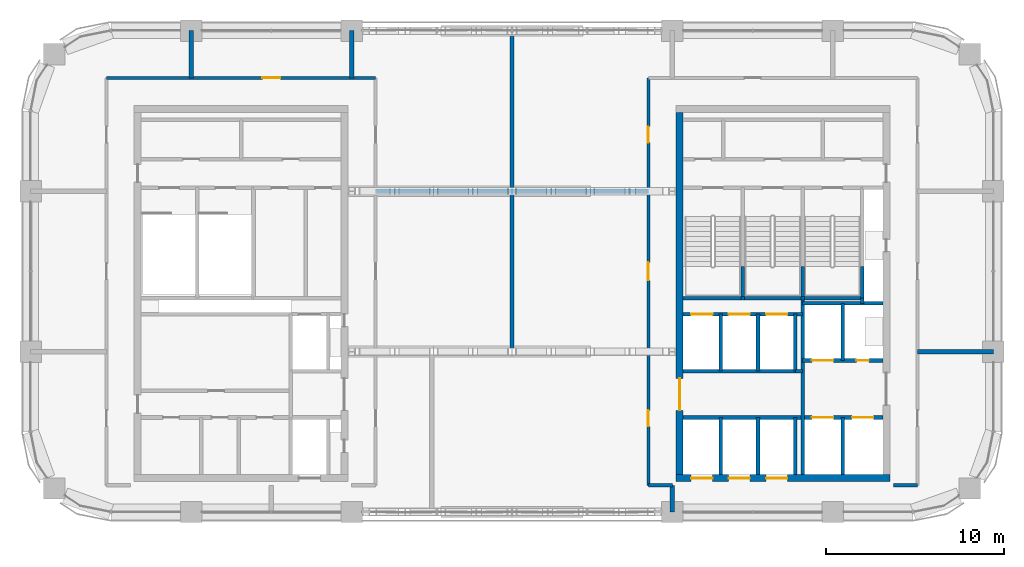
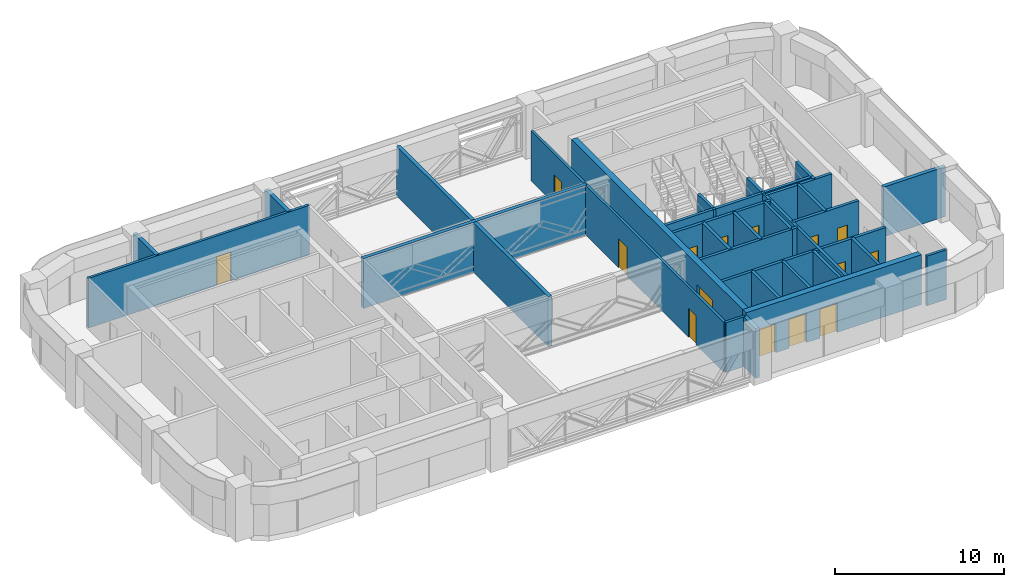
# One storey, part 10 of 12: 36 walls, 15 doors, 15 openings.
"""IFC4 building model written with IfcOpenShell, lengths in metres."""

from ifc_helpers import new_model, si_unit, direction, frame, frame_2d, origin, place, context, subcontext, project, spatial, rectangle, extrude, material, layer, layer_set, type_object, element, fill, save


model = new_model("IFC4")

# Units and contexts
model_context = context("Model", 3, precision=1e-05, world=origin(), true_north=direction((0.0, 1.0)))
body_context = subcontext(model_context, "Body", "Model", "MODEL_VIEW")
ifc_project = project(units=[si_unit("LENGTHUNIT", "METRE"), si_unit("AREAUNIT", "SQUARE_METRE"), si_unit("VOLUMEUNIT", "CUBIC_METRE"), si_unit("PLANEANGLEUNIT", "RADIAN"), si_unit("MASSUNIT", "GRAM", prefix="KILO")], contexts=[model_context])

# Site, building, storey
site_placement = place(None, origin())
site = spatial("IfcSite", under=ifc_project, at=site_placement, CompositionType="ELEMENT")
building_placement = place(site_placement, origin())
building = spatial("IfcBuilding", under=site, at=building_placement, Name="Tessera Arch", CompositionType="ELEMENT")
storey_placement = place(building_placement, frame((0.0, 0.0, 230.60009765625)))
storey = spatial("IfcBuildingStorey", under=building, at=storey_placement, Name="L55", CompositionType="ELEMENT", Elevation=230.60009765625)

# Wall
ifc_material_1 = material(Name="Gypsum board on steel stud", Category="steel")
ifc_layer_1 = layer(ifc_material_1, 0.125)
ifc_layer_set_1 = layer_set([ifc_layer_1], Name="Core partition 125 EI 60")
wall_type_1 = type_object("IfcWallType", Name="Core partition 125 EI 60", PredefinedType="PARTITIONING", material=ifc_layer_set_1)
wall_1_placement = place(storey_placement, frame((42.89990234375, 34.89990234375, 0.0), z_axis=(0.0, 0.0, 1.0), x_axis=(1.0, 0.0, 0.0)))
element("IfcWall", 1, at=wall_1_placement, inside=storey, type_object=wall_type_1, Name="L55 C1 partition wall 20", PredefinedType="PARTITIONING", context=body_context, shape_type="SweptSolid", body=[
    extrude(rectangle(XDim=0.400146484375, YDim=0.199951171875, at=frame_2d((0.2001953125, 0.0))), origin(), (0.0, 0.0, 1.0), 3.599853515625),
])

# Wall, openings, doors
ifc_material_2 = material(Name="Concrete C50/60", Category="concrete")
ifc_layer_2 = layer(ifc_material_2, 0.39990234375)
ifc_layer_set_2 = layer_set([ifc_layer_2], Name="Core shell wall 400 C50-60")
wall_type_2 = type_object("IfcWallType", Name="Core shell wall 400 C50-60", PredefinedType="SHEAR", material=ifc_layer_set_2)
wall_2_placement = place(storey_placement, frame((36.199951171875, 28.89990234375, 0.0), z_axis=(0.0, 0.0, 1.0), x_axis=(1.0, 0.0, 0.0)))
wall_2 = element("IfcWall", 2, at=wall_2_placement, inside=storey, type_object=wall_type_2, Name="L55 C1 core wall S", PredefinedType="SHEAR", context=body_context, shape_type="SweptSolid", body=[
    extrude(rectangle(XDim=12.0, YDim=0.39990234375, at=frame_2d((6.0, 0.0))), origin(), (0.0, 0.0, 1.0), 3.599853515625),
])
opening_1_placement = place(wall_2_placement, frame((0.85009765625, 0.0, 0.0)))
opening_1 = element("IfcOpeningElement", 3, at=opening_1_placement, cuts=wall_2, Name="Opening L55-C01", PredefinedType="OPENING", context=body_context, shape_type="SweptSolid", body=[
    extrude(rectangle(XDim=1.199951171875, YDim=2.10009765625, at=frame_2d((0.60009765625, 1.050048828125))), frame((0.0, 0.2099609375, 0.0), z_axis=(0.0, -1.0, 0.0), x_axis=(1.0, 0.0, 0.0)), (0.0, 0.0, 1.0), 0.419921875),
])
opening_2_placement = place(wall_2_placement, frame((2.949951171875, 0.0, 0.0)))
opening_2 = element("IfcOpeningElement", 4, at=opening_2_placement, cuts=wall_2, Name="Opening L55-C03", PredefinedType="OPENING", context=body_context, shape_type="SweptSolid", body=[
    extrude(rectangle(XDim=1.199951171875, YDim=2.10009765625, at=frame_2d((0.60009765625, 1.050048828125))), frame((0.0, 0.2099609375, 0.0), z_axis=(0.0, -1.0, 0.0), x_axis=(1.0, 0.0, 0.0)), (0.0, 0.0, 1.0), 0.419921875),
])
opening_3_placement = place(wall_2_placement, frame((5.050048828125, 0.0, 0.0)))
opening_3 = element("IfcOpeningElement", 5, at=opening_3_placement, cuts=wall_2, Name="Opening L55-C05", PredefinedType="OPENING", context=body_context, shape_type="SweptSolid", body=[
    extrude(rectangle(XDim=1.199951171875, YDim=2.10009765625, at=frame_2d((0.60009765625, 1.050048828125))), frame((0.0, 0.2099609375, 0.0), z_axis=(0.0, -1.0, 0.0), x_axis=(1.0, 0.0, 0.0)), (0.0, 0.0, 1.0), 0.419921875),
])
ifc_material_3 = material(Name="Stainless steel AISI 304", Category="steel")
door_type_1 = type_object("IfcDoorType", Name="Sliding landing door 1200 x 2100", OperationType="SLIDING_TO_LEFT", PredefinedType="DOOR", material=ifc_material_3)
door_1_placement = place(opening_1_placement, origin())
door_1 = element("IfcDoor", 6, at=door_1_placement, inside=storey, type_object=door_type_1, Name="L55 HR1 lift landing door C01 type LD", OperationType="SLIDING_TO_LEFT", OverallHeight=2.10009765625, OverallWidth=1.199951171875, PredefinedType="DOOR", context=body_context, shape_type="SweptSolid", body=[
    extrude(rectangle(XDim=1.199951171875, YDim=2.10009765625, at=frame_2d((0.60009765625, 1.050048828125))), frame((0.0, 0.02490234375, 0.0), z_axis=(0.0, -1.0, 0.0), x_axis=(1.0, 0.0, 0.0)), (0.0, 0.0, 1.0), 0.050048828125),
])
fill(opening_1, door_1)
door_2_placement = place(opening_2_placement, origin())
door_2 = element("IfcDoor", 7, at=door_2_placement, inside=storey, type_object=door_type_1, Name="L55 HR2 lift landing door C03 type LD", OperationType="SLIDING_TO_LEFT", OverallHeight=2.10009765625, OverallWidth=1.199951171875, PredefinedType="DOOR", context=body_context, shape_type="SweptSolid", body=[
    extrude(rectangle(XDim=1.199951171875, YDim=2.10009765625, at=frame_2d((0.60009765625, 1.050048828125))), frame((0.0, 0.02490234375, 0.0), z_axis=(0.0, -1.0, 0.0), x_axis=(1.0, 0.0, 0.0)), (0.0, 0.0, 1.0), 0.050048828125),
])
fill(opening_2, door_2)
door_3_placement = place(opening_3_placement, origin())
door_3 = element("IfcDoor", 8, at=door_3_placement, inside=storey, type_object=door_type_1, Name="L55 HR3 lift landing door C05 type LD", OperationType="SLIDING_TO_LEFT", OverallHeight=2.10009765625, OverallWidth=1.199951171875, PredefinedType="DOOR", context=body_context, shape_type="SweptSolid", body=[
    extrude(rectangle(XDim=1.199951171875, YDim=2.10009765625, at=frame_2d((0.60009765625, 1.050048828125))), frame((0.0, 0.02490234375, 0.0), z_axis=(0.0, -1.0, 0.0), x_axis=(1.0, 0.0, 0.0)), (0.0, 0.0, 1.0), 0.050048828125),
])
fill(opening_3, door_3)

# Wall, opening, door
wall_3_placement = place(storey_placement, frame((36.39990234375, 29.10009765625, 0.0), z_axis=(0.0, 0.0, 1.0), x_axis=(0.0, 1.0, 0.0)))
wall_3 = element("IfcWall", 9, at=wall_3_placement, inside=storey, type_object=wall_type_2, Name="L55 C1 core wall W", PredefinedType="SHEAR", context=body_context, shape_type="SweptSolid", body=[
    extrude(rectangle(XDim=20.2998046875, YDim=0.39990234375, at=frame_2d((10.14990234375, 0.0))), origin(), (0.0, 0.0, 1.0), 3.599853515625),
])
opening_4_placement = place(wall_3_placement, frame((3.60009765625, 0.0, 0.0)))
opening_4 = element("IfcOpeningElement", 10, at=opening_4_placement, cuts=wall_3, Name="Opening L55-C10", PredefinedType="OPENING", context=body_context, shape_type="SweptSolid", body=[
    extrude(rectangle(XDim=1.800048828125, YDim=2.10009765625, at=frame_2d((0.89990234375, 1.050048828125))), frame((0.0, 0.2099609375, 0.0), z_axis=(0.0, -1.0, 0.0), x_axis=(1.0, 0.0, 0.0)), (0.0, 0.0, 1.0), 0.419921875),
])
ifc_material_4 = material(Name="Glazed steel door leaf", Category="steel")
door_type_2 = type_object("IfcDoorType", Name="Lobby double door FD30S 1800 x 2100", OperationType="DOUBLE_DOOR_SINGLE_SWING", PredefinedType="DOOR", material=ifc_material_4)
door_4_placement = place(opening_4_placement, origin())
door_4 = element("IfcDoor", 11, at=door_4_placement, inside=storey, type_object=door_type_2, Name="L55 C1 door 10 C10 type D06", OperationType="DOUBLE_DOOR_SINGLE_SWING", OverallHeight=2.10009765625, OverallWidth=1.800048828125, PredefinedType="DOOR", context=body_context, shape_type="SweptSolid", body=[
    extrude(rectangle(XDim=1.800048828125, YDim=2.10009765625, at=frame_2d((0.89990234375, 1.050048828125))), frame((0.0, 0.02490234375, 0.0), z_axis=(0.0, -1.0, 0.0), x_axis=(1.0, 0.0, 0.0)), (0.0, 0.0, 1.0), 0.050048828125),
])
fill(opening_4, door_4)

# Walls
ifc_material_5 = material(Name="Gypsum board on deep steel stud with mineral wool", Category="steel")
ifc_layer_3 = layer(ifc_material_5, 0.175048828125)
ifc_layer_set_3 = layer_set([ifc_layer_3], Name="Corridor wall 175 EI 60")
wall_type_3 = type_object("IfcWallType", Name="Corridor wall 175 EI 60", PredefinedType="PARTITIONING", material=ifc_layer_set_3)
for number, where, z_axis, x_axis, name in (
    (12, (34.64990234375, 28.5, 0.0), (0.0, 0.0, 1.0), (1.0, 0.0, 0.0), "L55 partition 3"),
    (13, (48.39990234375, 28.5, 0.0), (0.0, 0.0, 1.0), (1.0, 0.0, 0.0), "L55 partition 4"),
):
    element("IfcWall", number, at=place(storey_placement, frame(where, z_axis=z_axis, x_axis=x_axis)), inside=storey, type_object=wall_type_3, Name=name, PredefinedType="PARTITIONING", context=body_context, shape_type="SweptSolid", body=[
        extrude(rectangle(XDim=1.35009765625, YDim=0.175048828125, at=frame_2d((0.675048828125, 0.0))), origin(), (0.0, 0.0, 1.0), 3.599853515625),
    ])

# Wall, opening, door
wall_4_placement = place(storey_placement, frame((4.25, 51.35009765625, 0.0), z_axis=(0.0, 0.0, 1.0), x_axis=(1.0, 0.0, 0.0)))
wall_4 = element("IfcWall", 14, at=wall_4_placement, inside=storey, type_object=wall_type_3, Name="L55 partition 5", PredefinedType="PARTITIONING", context=body_context, shape_type="SweptSolid", body=[
    extrude(rectangle(XDim=15.10009765625, YDim=0.175048828125, at=frame_2d((7.550048828125, 0.0))), origin(), (0.0, 0.0, 1.0), 3.599853515625),
])
opening_5_placement = place(wall_4_placement, frame((8.75, 0.0, 0.0)))
opening_5 = element("IfcOpeningElement", 15, at=opening_5_placement, cuts=wall_4, Name="Opening L55-D013", PredefinedType="OPENING", context=body_context, shape_type="SweptSolid", body=[
    extrude(rectangle(XDim=1.0, YDim=2.10009765625, at=frame_2d((0.5, 1.050048828125))), frame((0.0, 0.097412109375, 0.0), z_axis=(0.0, -1.0, 0.0), x_axis=(1.0, 0.0, 0.0)), (0.0, 0.0, 1.0), 0.195068359375),
])
ifc_material_6 = material(Name="Fire-rated door leaf")
door_type_3 = type_object("IfcDoorType", Name="Entrance door FD30S 1000 x 2100", OperationType="SINGLE_SWING_LEFT", PredefinedType="DOOR", material=ifc_material_6)
door_5_placement = place(opening_5_placement, origin())
door_5 = element("IfcDoor", 16, at=door_5_placement, inside=storey, type_object=door_type_3, Name="L55 door D013 type D03", OperationType="SINGLE_SWING_LEFT", OverallHeight=2.10009765625, OverallWidth=1.0, PredefinedType="DOOR", context=body_context, shape_type="SweptSolid", body=[
    extrude(rectangle(XDim=1.0, YDim=2.10009765625, at=frame_2d((0.5, 1.050048828125))), frame((0.0, 0.02490234375, 0.0), z_axis=(0.0, -1.0, 0.0), x_axis=(1.0, 0.0, 0.0)), (0.0, 0.0, 1.0), 0.050048828125),
])
fill(opening_5, door_5)

# Wall, openings, doors
wall_5_placement = place(storey_placement, frame((34.64990234375, 28.5, 0.0), z_axis=(0.0, 0.0, 1.0), x_axis=(0.0, 1.0, 0.0)))
wall_5 = element("IfcWall", 17, at=wall_5_placement, inside=storey, type_object=wall_type_3, Name="L55 partition 9", PredefinedType="PARTITIONING", context=body_context, shape_type="SweptSolid", body=[
    extrude(rectangle(XDim=22.85009765625, YDim=0.175048828125, at=frame_2d((11.425048828125, 0.0))), origin(), (0.0, 0.0, 1.0), 3.599853515625),
])
opening_6_placement = place(wall_5_placement, frame((3.300048828125, 0.0, 0.0)))
opening_6 = element("IfcOpeningElement", 18, at=opening_6_placement, cuts=wall_5, Name="Opening L55-D004", PredefinedType="OPENING", context=body_context, shape_type="SweptSolid", body=[
    extrude(rectangle(XDim=0.89990234375, YDim=2.10009765625, at=frame_2d((0.449951171875, 1.050048828125))), frame((0.0, 0.097412109375, 0.0), z_axis=(0.0, -1.0, 0.0), x_axis=(1.0, 0.0, 0.0)), (0.0, 0.0, 1.0), 0.195068359375),
])
opening_7_placement = place(wall_5_placement, frame((11.5, 0.0, 0.0)))
opening_7 = element("IfcOpeningElement", 19, at=opening_7_placement, cuts=wall_5, Name="Opening L55-D007", PredefinedType="OPENING", context=body_context, shape_type="SweptSolid", body=[
    extrude(rectangle(XDim=1.0, YDim=2.10009765625, at=frame_2d((0.5, 1.050048828125))), frame((0.0, 0.097412109375, 0.0), z_axis=(0.0, -1.0, 0.0), x_axis=(1.0, 0.0, 0.0)), (0.0, 0.0, 1.0), 0.195068359375),
])
opening_8_placement = place(wall_5_placement, frame((19.22509765625, 0.0, 0.0)))
opening_8 = element("IfcOpeningElement", 20, at=opening_8_placement, cuts=wall_5, Name="Opening L55-D010", PredefinedType="OPENING", context=body_context, shape_type="SweptSolid", body=[
    extrude(rectangle(XDim=0.89990234375, YDim=2.10009765625, at=frame_2d((0.449951171875, 1.050048828125))), frame((0.0, 0.097412109375, 0.0), z_axis=(0.0, -1.0, 0.0), x_axis=(1.0, 0.0, 0.0)), (0.0, 0.0, 1.0), 0.195068359375),
])
door_6_placement = place(opening_7_placement, origin())
door_6 = element("IfcDoor", 21, at=door_6_placement, inside=storey, type_object=door_type_3, Name="L55 door D007 type D03", OperationType="SINGLE_SWING_LEFT", OverallHeight=2.10009765625, OverallWidth=1.0, PredefinedType="DOOR", context=body_context, shape_type="SweptSolid", body=[
    extrude(rectangle(XDim=1.0, YDim=2.10009765625, at=frame_2d((0.5, 1.050048828125))), frame((0.0, 0.02490234375, 0.0), z_axis=(0.0, -1.0, 0.0), x_axis=(1.0, 0.0, 0.0)), (0.0, 0.0, 1.0), 0.050048828125),
])
fill(opening_7, door_6)
ifc_material_7 = material(Name="Timber door leaf", Category="wood")
door_type_4 = type_object("IfcDoorType", Name="Room door 900 x 2100", OperationType="SINGLE_SWING_LEFT", PredefinedType="DOOR", material=ifc_material_7)
door_7_placement = place(opening_6_placement, origin())
door_7 = element("IfcDoor", 22, at=door_7_placement, inside=storey, type_object=door_type_4, Name="L55 door D004 type D01", OperationType="SINGLE_SWING_RIGHT", OverallHeight=2.10009765625, OverallWidth=0.89990234375, PredefinedType="DOOR", context=body_context, shape_type="SweptSolid", body=[
    extrude(rectangle(XDim=0.89990234375, YDim=2.10009765625, at=frame_2d((0.449951171875, 1.050048828125))), frame((0.0, 0.02490234375, 0.0), z_axis=(0.0, -1.0, 0.0), x_axis=(1.0, 0.0, 0.0)), (0.0, 0.0, 1.0), 0.050048828125),
])
fill(opening_6, door_7)
door_8_placement = place(opening_8_placement, origin())
door_8 = element("IfcDoor", 23, at=door_8_placement, inside=storey, type_object=door_type_4, Name="L55 door D010 type D01", OperationType="SINGLE_SWING_RIGHT", OverallHeight=2.10009765625, OverallWidth=0.89990234375, PredefinedType="DOOR", context=body_context, shape_type="SweptSolid", body=[
    extrude(rectangle(XDim=0.89990234375, YDim=2.10009765625, at=frame_2d((0.449951171875, 1.050048828125))), frame((0.0, 0.02490234375, 0.0), z_axis=(0.0, -1.0, 0.0), x_axis=(1.0, 0.0, 0.0)), (0.0, 0.0, 1.0), 0.050048828125),
])
fill(opening_8, door_8)

# Walls
ifc_material_8 = material(Name="Double gypsum board on twin steel stud with acoustic mineral wool", Category="steel")
ifc_layer_4 = layer(ifc_material_8, 0.25)
ifc_layer_set_4 = layer_set([ifc_layer_4], Name="Party wall 250 EI 60")
wall_type_4 = type_object("IfcWallType", Name="Party wall 250 EI 60", PredefinedType="PARTITIONING", material=ifc_layer_set_4)
wall_6_placement = place(storey_placement, frame((49.75, 36.0, 0.0), z_axis=(0.0, 0.0, 1.0), x_axis=(1.0, 0.0, 0.0)))
element("IfcWall", 24, at=wall_6_placement, inside=storey, type_object=wall_type_4, Name="L55 partition 13", PredefinedType="PARTITIONING", context=body_context, shape_type="SweptSolid", body=[
    extrude(rectangle(XDim=4.25, YDim=0.25, at=frame_2d((2.125, 0.0))), origin(), (0.0, 0.0, 1.0), 3.599853515625),
])
wall_7_placement = place(storey_placement, frame((19.35009765625, 45.0, 0.0), z_axis=(0.0, 0.0, 1.0), x_axis=(1.0, 0.0, 0.0)))
element("IfcWall", 25, at=wall_7_placement, inside=storey, type_object=wall_type_4, Name="L55 partition 15", PredefinedType="PARTITIONING", context=body_context, shape_type="SweptSolid", body=[
    extrude(rectangle(XDim=15.2998046875, YDim=0.25, at=frame_2d((7.64990234375, 0.0))), origin(), (0.0, 0.0, 1.0), 3.599853515625),
])
for number, where, z_axis, x_axis, name in (
    (26, (9.0, 51.35009765625, 0.0), (0.0, 0.0, 1.0), (0.0, 1.0, 0.0), "L55 partition 17"),
    (27, (18.0, 51.35009765625, 0.0), (0.0, 0.0, 1.0), (0.0, 1.0, 0.0), "L55 partition 19"),
):
    element("IfcWall", number, at=place(storey_placement, frame(where, z_axis=z_axis, x_axis=x_axis)), inside=storey, type_object=wall_type_4, Name=name, PredefinedType="PARTITIONING", context=body_context, shape_type="SweptSolid", body=[
        extrude(rectangle(XDim=2.64990234375, YDim=0.25, at=frame_2d((1.324951171875, 0.0))), origin(), (0.0, 0.0, 1.0), 3.599853515625),
    ])
wall_8_placement = place(storey_placement, frame((27.0, 36.0, 0.0), z_axis=(0.0, 0.0, 1.0), x_axis=(0.0, 1.0, 0.0)))
element("IfcWall", 28, at=wall_8_placement, inside=storey, type_object=wall_type_4, Name="L55 partition 21", PredefinedType="PARTITIONING", context=body_context, shape_type="SweptSolid", body=[
    extrude(rectangle(XDim=18.0, YDim=0.25, at=frame_2d((9.0, 0.0))), origin(), (0.0, 0.0, 1.0), 3.599853515625),
])
wall_9_placement = place(storey_placement, frame((36.0, 27.0, 0.0), z_axis=(0.0, 0.0, 1.0), x_axis=(0.0, 1.0, 0.0)))
element("IfcWall", 29, at=wall_9_placement, inside=storey, type_object=wall_type_4, Name="L55 partition 22", PredefinedType="PARTITIONING", context=body_context, shape_type="SweptSolid", body=[
    extrude(rectangle(XDim=1.5, YDim=0.25, at=frame_2d((0.75, 0.0))), origin(), (0.0, 0.0, 1.0), 3.599853515625),
])
ifc_material_9 = material(Name="Concrete C40/50", Category="concrete")
ifc_layer_5 = layer(ifc_material_9, 0.199951171875)
ifc_layer_set_5 = layer_set([ifc_layer_5], Name="Shaft wall 200 EI 120")
wall_type_5 = type_object("IfcWallType", Name="Shaft wall 200 EI 120", PredefinedType="SOLIDWALL", material=ifc_layer_set_5)
wall_10_placement = place(storey_placement, frame((38.699951171875, 29.10009765625, 0.0), z_axis=(0.0, 0.0, 1.0), x_axis=(0.0, 1.0, 0.0)))
element("IfcWall", 30, at=wall_10_placement, inside=storey, type_object=wall_type_5, Name="L55 C1 shaft wall 1", PredefinedType="SOLIDWALL", context=body_context, shape_type="SweptSolid", body=[
    extrude(rectangle(XDim=3.199951171875, YDim=0.199951171875, at=frame_2d((1.60009765625, 0.0))), origin(), (0.0, 0.0, 1.0), 3.599853515625),
])
wall_11_placement = place(storey_placement, frame((38.699951171875, 34.89990234375, 0.0), z_axis=(0.0, 0.0, 1.0), x_axis=(0.0, 1.0, 0.0)))
element("IfcWall", 31, at=wall_11_placement, inside=storey, type_object=wall_type_5, Name="L55 C1 shaft wall 2", PredefinedType="SOLIDWALL", context=body_context, shape_type="SweptSolid", body=[
    extrude(rectangle(XDim=3.2001953125, YDim=0.199951171875, at=frame_2d((1.60009765625, 0.0))), origin(), (0.0, 0.0, 1.0), 3.599853515625),
])
wall_12_placement = place(storey_placement, frame((40.800048828125, 29.10009765625, 0.0), z_axis=(0.0, 0.0, 1.0), x_axis=(0.0, 1.0, 0.0)))
element("IfcWall", 32, at=wall_12_placement, inside=storey, type_object=wall_type_5, Name="L55 C1 shaft wall 6", PredefinedType="SOLIDWALL", context=body_context, shape_type="SweptSolid", body=[
    extrude(rectangle(XDim=3.199951171875, YDim=0.199951171875, at=frame_2d((1.60009765625, 0.0))), origin(), (0.0, 0.0, 1.0), 3.599853515625),
])
wall_13_placement = place(storey_placement, frame((40.800048828125, 34.89990234375, 0.0), z_axis=(0.0, 0.0, 1.0), x_axis=(0.0, 1.0, 0.0)))
element("IfcWall", 33, at=wall_13_placement, inside=storey, type_object=wall_type_5, Name="L55 C1 shaft wall 7", PredefinedType="SOLIDWALL", context=body_context, shape_type="SweptSolid", body=[
    extrude(rectangle(XDim=3.2001953125, YDim=0.199951171875, at=frame_2d((1.60009765625, 0.0))), origin(), (0.0, 0.0, 1.0), 3.599853515625),
])
wall_14_placement = place(storey_placement, frame((42.89990234375, 29.10009765625, 0.0), z_axis=(0.0, 0.0, 1.0), x_axis=(0.0, 1.0, 0.0)))
element("IfcWall", 34, at=wall_14_placement, inside=storey, type_object=wall_type_5, Name="L55 C1 shaft wall 8", PredefinedType="SOLIDWALL", context=body_context, shape_type="SweptSolid", body=[
    extrude(rectangle(XDim=3.199951171875, YDim=0.199951171875, at=frame_2d((1.60009765625, 0.0))), origin(), (0.0, 0.0, 1.0), 3.599853515625),
])
wall_15_placement = place(storey_placement, frame((42.89990234375, 34.89990234375, 0.0), z_axis=(0.0, 0.0, 1.0), x_axis=(0.0, 1.0, 0.0)))
element("IfcWall", 35, at=wall_15_placement, inside=storey, type_object=wall_type_5, Name="L55 C1 shaft wall 9", PredefinedType="SOLIDWALL", context=body_context, shape_type="SweptSolid", body=[
    extrude(rectangle(XDim=3.2001953125, YDim=0.199951171875, at=frame_2d((1.60009765625, 0.0))), origin(), (0.0, 0.0, 1.0), 3.599853515625),
])
wall_16_placement = place(storey_placement, frame((43.300048828125, 29.10009765625, 0.0), z_axis=(0.0, 0.0, 1.0), x_axis=(0.0, 1.0, 0.0)))
element("IfcWall", 36, at=wall_16_placement, inside=storey, type_object=wall_type_5, Name="L55 C1 shaft wall 10", PredefinedType="SOLIDWALL", context=body_context, shape_type="SweptSolid", body=[
    extrude(rectangle(XDim=9.89990234375, YDim=0.199951171875, at=frame_2d((4.949951171875, 0.0))), origin(), (0.0, 0.0, 1.0), 3.599853515625),
])
for number, where, z_axis, x_axis, name in (
    (37, (45.550048828125, 29.10009765625, 0.0), (0.0, 0.0, 1.0), (0.0, 1.0, 0.0), "L55 C1 shaft wall 14"),
    (38, (45.550048828125, 35.5, 0.0), (0.0, 0.0, 1.0), (0.0, 1.0, 0.0), "L55 C1 shaft wall 15"),
):
    element("IfcWall", number, at=place(storey_placement, frame(where, z_axis=z_axis, x_axis=x_axis)), inside=storey, type_object=wall_type_5, Name=name, PredefinedType="SOLIDWALL", context=body_context, shape_type="SweptSolid", body=[
        extrude(rectangle(XDim=3.199951171875, YDim=0.199951171875, at=frame_2d((1.60009765625, 0.0))), origin(), (0.0, 0.0, 1.0), 3.599853515625),
    ])
wall_17_placement = place(storey_placement, frame((46.64990234375, 38.699951171875, 0.0), z_axis=(0.0, 0.0, 1.0), x_axis=(0.0, 1.0, 0.0)))
element("IfcWall", 39, at=wall_17_placement, inside=storey, type_object=wall_type_5, Name="L55 C1 shaft wall 16", PredefinedType="SOLIDWALL", context=body_context, shape_type="SweptSolid", body=[
    extrude(rectangle(XDim=0.300048828125, YDim=0.199951171875, at=frame_2d((0.14990234375, 0.0))), origin(), (0.0, 0.0, 1.0), 3.599853515625),
])

# Wall, openings, doors
wall_18_placement = place(storey_placement, frame((36.60009765625, 32.300048828125, 0.0), z_axis=(0.0, 0.0, 1.0), x_axis=(1.0, 0.0, 0.0)))
wall_18 = element("IfcWall", 40, at=wall_18_placement, inside=storey, type_object=wall_type_5, Name="L55 C1 shaft wall 19", PredefinedType="SOLIDWALL", context=body_context, shape_type="SweptSolid", body=[
    extrude(rectangle(XDim=11.199951171875, YDim=0.199951171875, at=frame_2d((5.60009765625, 0.0))), origin(), (0.0, 0.0, 1.0), 3.599853515625),
])
opening_9_placement = place(wall_18_placement, frame((7.22509765625, 0.0, 0.0)))
opening_9 = element("IfcOpeningElement", 41, at=opening_9_placement, cuts=wall_18, Name="Opening L55-C07", PredefinedType="OPENING", context=body_context, shape_type="SweptSolid", body=[
    extrude(rectangle(XDim=1.199951171875, YDim=2.10009765625, at=frame_2d((0.60009765625, 1.050048828125))), frame((0.0, 0.10986328125, 0.0), z_axis=(0.0, -1.0, 0.0), x_axis=(1.0, 0.0, 0.0)), (0.0, 0.0, 1.0), 0.219970703125),
])
opening_10_placement = place(wall_18_placement, frame((9.47509765625, 0.0, 0.0)))
opening_10 = element("IfcOpeningElement", 42, at=opening_10_placement, cuts=wall_18, Name="Opening L55-C08", PredefinedType="OPENING", context=body_context, shape_type="SweptSolid", body=[
    extrude(rectangle(XDim=1.199951171875, YDim=2.10009765625, at=frame_2d((0.60009765625, 1.050048828125))), frame((0.0, 0.10986328125, 0.0), z_axis=(0.0, -1.0, 0.0), x_axis=(1.0, 0.0, 0.0)), (0.0, 0.0, 1.0), 0.219970703125),
])
door_9_placement = place(opening_9_placement, origin())
door_9 = element("IfcDoor", 43, at=door_9_placement, inside=storey, type_object=door_type_1, Name="L55 FF1 lift landing door C07 type LD", OperationType="SLIDING_TO_LEFT", OverallHeight=2.10009765625, OverallWidth=1.199951171875, PredefinedType="DOOR", context=body_context, shape_type="SweptSolid", body=[
    extrude(rectangle(XDim=1.199951171875, YDim=2.10009765625, at=frame_2d((0.60009765625, 1.050048828125))), frame((0.0, 0.02490234375, 0.0), z_axis=(0.0, -1.0, 0.0), x_axis=(1.0, 0.0, 0.0)), (0.0, 0.0, 1.0), 0.050048828125),
])
fill(opening_9, door_9)
door_10_placement = place(opening_10_placement, origin())
door_10 = element("IfcDoor", 44, at=door_10_placement, inside=storey, type_object=door_type_1, Name="L55 FF2 lift landing door C08 type LD", OperationType="SLIDING_TO_LEFT", OverallHeight=2.10009765625, OverallWidth=1.199951171875, PredefinedType="DOOR", context=body_context, shape_type="SweptSolid", body=[
    extrude(rectangle(XDim=1.199951171875, YDim=2.10009765625, at=frame_2d((0.60009765625, 1.050048828125))), frame((0.0, 0.02490234375, 0.0), z_axis=(0.0, -1.0, 0.0), x_axis=(1.0, 0.0, 0.0)), (0.0, 0.0, 1.0), 0.050048828125),
])
fill(opening_10, door_10)

# Wall
wall_19_placement = place(storey_placement, frame((36.60009765625, 34.89990234375, 0.0), z_axis=(0.0, 0.0, 1.0), x_axis=(1.0, 0.0, 0.0)))
element("IfcWall", 45, at=wall_19_placement, inside=storey, type_object=wall_type_5, Name="L55 C1 shaft wall 21", PredefinedType="SOLIDWALL", context=body_context, shape_type="SweptSolid", body=[
    extrude(rectangle(XDim=6.2998046875, YDim=0.199951171875, at=frame_2d((3.14990234375, 0.0))), origin(), (0.0, 0.0, 1.0), 3.599853515625),
])

# Wall, openings, doors
wall_20_placement = place(storey_placement, frame((43.300048828125, 35.5, 0.0), z_axis=(0.0, 0.0, 1.0), x_axis=(1.0, 0.0, 0.0)))
wall_20 = element("IfcWall", 46, at=wall_20_placement, inside=storey, type_object=wall_type_5, Name="L55 C1 shaft wall 22", PredefinedType="SOLIDWALL", context=body_context, shape_type="SweptSolid", body=[
    extrude(rectangle(XDim=4.5, YDim=0.199951171875, at=frame_2d((2.25, 0.0))), origin(), (0.0, 0.0, 1.0), 3.599853515625),
])
opening_11_placement = place(wall_20_placement, frame((0.52490234375, 0.0, 0.0)))
opening_11 = element("IfcOpeningElement", 47, at=opening_11_placement, cuts=wall_20, Name="Opening L55-C09", PredefinedType="OPENING", context=body_context, shape_type="SweptSolid", body=[
    extrude(rectangle(XDim=1.199951171875, YDim=2.10009765625, at=frame_2d((0.60009765625, 1.050048828125))), frame((0.0, 0.10986328125, 0.0), z_axis=(0.0, -1.0, 0.0), x_axis=(1.0, 0.0, 0.0)), (0.0, 0.0, 1.0), 0.219970703125),
])
opening_12_placement = place(wall_20_placement, frame((3.02490234375, 0.0, 0.0)))
opening_12 = element("IfcOpeningElement", 48, at=opening_12_placement, cuts=wall_20, Name="Opening L55-C16", PredefinedType="OPENING", context=body_context, shape_type="SweptSolid", body=[
    extrude(rectangle(XDim=0.699951171875, YDim=2.10009765625, at=frame_2d((0.35009765625, 1.050048828125))), frame((0.0, 0.10986328125, 0.0), z_axis=(0.0, -1.0, 0.0), x_axis=(1.0, 0.0, 0.0)), (0.0, 0.0, 1.0), 0.219970703125),
])
ifc_material_10 = material(Name="Steel door leaf", Category="steel")
door_type_5 = type_object("IfcDoorType", Name="Service shaft door FD60 700 x 2100", OperationType="SINGLE_SWING_LEFT", PredefinedType="DOOR", material=ifc_material_10)
door_11_placement = place(opening_12_placement, origin())
door_11 = element("IfcDoor", 49, at=door_11_placement, inside=storey, type_object=door_type_5, Name="L55 C1 door 16 C16 type D07", OperationType="SINGLE_SWING_RIGHT", OverallHeight=2.10009765625, OverallWidth=0.699951171875, PredefinedType="DOOR", context=body_context, shape_type="SweptSolid", body=[
    extrude(rectangle(XDim=0.699951171875, YDim=2.10009765625, at=frame_2d((0.35009765625, 1.050048828125))), frame((0.0, 0.02490234375, 0.0), z_axis=(0.0, -1.0, 0.0), x_axis=(1.0, 0.0, 0.0)), (0.0, 0.0, 1.0), 0.050048828125),
])
fill(opening_12, door_11)
door_12_placement = place(opening_11_placement, origin())
door_12 = element("IfcDoor", 50, at=door_12_placement, inside=storey, type_object=door_type_1, Name="L55 SV2 lift landing door C09 type LD", OperationType="SLIDING_TO_LEFT", OverallHeight=2.10009765625, OverallWidth=1.199951171875, PredefinedType="DOOR", context=body_context, shape_type="SweptSolid", body=[
    extrude(rectangle(XDim=1.199951171875, YDim=2.10009765625, at=frame_2d((0.60009765625, 1.050048828125))), frame((0.0, 0.02490234375, 0.0), z_axis=(0.0, -1.0, 0.0), x_axis=(1.0, 0.0, 0.0)), (0.0, 0.0, 1.0), 0.050048828125),
])
fill(opening_11, door_12)

wall_21_placement = place(storey_placement, frame((36.60009765625, 38.10009765625, 0.0), z_axis=(0.0, 0.0, 1.0), x_axis=(1.0, 0.0, 0.0)))
wall_21 = element("IfcWall", 51, at=wall_21_placement, inside=storey, type_object=wall_type_5, Name="L55 C1 shaft wall 23", PredefinedType="SOLIDWALL", context=body_context, shape_type="SweptSolid", body=[
    extrude(rectangle(XDim=6.699951171875, YDim=0.199951171875, at=frame_2d((3.35009765625, 0.0))), origin(), (0.0, 0.0, 1.0), 3.599853515625),
])
opening_13_placement = place(wall_21_placement, frame((0.449951171875, 0.0, 0.0)))
opening_13 = element("IfcOpeningElement", 52, at=opening_13_placement, cuts=wall_21, Name="Opening L55-C02", PredefinedType="OPENING", context=body_context, shape_type="SweptSolid", body=[
    extrude(rectangle(XDim=1.199951171875, YDim=2.10009765625, at=frame_2d((0.60009765625, 1.050048828125))), frame((0.0, 0.10986328125, 0.0), z_axis=(0.0, -1.0, 0.0), x_axis=(1.0, 0.0, 0.0)), (0.0, 0.0, 1.0), 0.219970703125),
])
opening_14_placement = place(wall_21_placement, frame((2.550048828125, 0.0, 0.0)))
opening_14 = element("IfcOpeningElement", 53, at=opening_14_placement, cuts=wall_21, Name="Opening L55-C04", PredefinedType="OPENING", context=body_context, shape_type="SweptSolid", body=[
    extrude(rectangle(XDim=1.199951171875, YDim=2.10009765625, at=frame_2d((0.60009765625, 1.050048828125))), frame((0.0, 0.10986328125, 0.0), z_axis=(0.0, -1.0, 0.0), x_axis=(1.0, 0.0, 0.0)), (0.0, 0.0, 1.0), 0.219970703125),
])
opening_15_placement = place(wall_21_placement, frame((4.64990234375, 0.0, 0.0)))
opening_15 = element("IfcOpeningElement", 54, at=opening_15_placement, cuts=wall_21, Name="Opening L55-C06", PredefinedType="OPENING", context=body_context, shape_type="SweptSolid", body=[
    extrude(rectangle(XDim=1.199951171875, YDim=2.10009765625, at=frame_2d((0.60009765625, 1.050048828125))), frame((0.0, 0.10986328125, 0.0), z_axis=(0.0, -1.0, 0.0), x_axis=(1.0, 0.0, 0.0)), (0.0, 0.0, 1.0), 0.219970703125),
])
door_13_placement = place(opening_13_placement, origin())
door_13 = element("IfcDoor", 55, at=door_13_placement, inside=storey, type_object=door_type_1, Name="L55 HR4 lift landing door C02 type LD", OperationType="SLIDING_TO_LEFT", OverallHeight=2.10009765625, OverallWidth=1.199951171875, PredefinedType="DOOR", context=body_context, shape_type="SweptSolid", body=[
    extrude(rectangle(XDim=1.199951171875, YDim=2.10009765625, at=frame_2d((0.60009765625, 1.050048828125))), frame((0.0, 0.02490234375, 0.0), z_axis=(0.0, -1.0, 0.0), x_axis=(1.0, 0.0, 0.0)), (0.0, 0.0, 1.0), 0.050048828125),
])
fill(opening_13, door_13)
door_14_placement = place(opening_14_placement, origin())
door_14 = element("IfcDoor", 56, at=door_14_placement, inside=storey, type_object=door_type_1, Name="L55 HR5 lift landing door C04 type LD", OperationType="SLIDING_TO_LEFT", OverallHeight=2.10009765625, OverallWidth=1.199951171875, PredefinedType="DOOR", context=body_context, shape_type="SweptSolid", body=[
    extrude(rectangle(XDim=1.199951171875, YDim=2.10009765625, at=frame_2d((0.60009765625, 1.050048828125))), frame((0.0, 0.02490234375, 0.0), z_axis=(0.0, -1.0, 0.0), x_axis=(1.0, 0.0, 0.0)), (0.0, 0.0, 1.0), 0.050048828125),
])
fill(opening_14, door_14)
door_15_placement = place(opening_15_placement, origin())
door_15 = element("IfcDoor", 57, at=door_15_placement, inside=storey, type_object=door_type_1, Name="L55 HR6 lift landing door C06 type LD", OperationType="SLIDING_TO_LEFT", OverallHeight=2.10009765625, OverallWidth=1.199951171875, PredefinedType="DOOR", context=body_context, shape_type="SweptSolid", body=[
    extrude(rectangle(XDim=1.199951171875, YDim=2.10009765625, at=frame_2d((0.60009765625, 1.050048828125))), frame((0.0, 0.02490234375, 0.0), z_axis=(0.0, -1.0, 0.0), x_axis=(1.0, 0.0, 0.0)), (0.0, 0.0, 1.0), 0.050048828125),
])
fill(opening_15, door_15)

# Walls
wall_22_placement = place(storey_placement, frame((43.300048828125, 38.699951171875, 0.0), z_axis=(0.0, 0.0, 1.0), x_axis=(1.0, 0.0, 0.0)))
element("IfcWall", 58, at=wall_22_placement, inside=storey, type_object=wall_type_5, Name="L55 C1 shaft wall 24", PredefinedType="SOLIDWALL", context=body_context, shape_type="SweptSolid", body=[
    extrude(rectangle(XDim=4.5, YDim=0.199951171875, at=frame_2d((2.25, 0.0))), origin(), (0.0, 0.0, 1.0), 3.599853515625),
])
ifc_material_11 = material(Name="Concrete C40/50", Category="concrete")
ifc_layer_6 = layer(ifc_material_11, 0.199951171875)
ifc_layer_set_6 = layer_set([ifc_layer_6], Name="Stair well wall 200 REI 180")
wall_type_6 = type_object("IfcWallType", Name="Stair well wall 200 REI 180", PredefinedType="SOLIDWALL", material=ifc_layer_set_6)
for number, where, z_axis, x_axis, name in (
    (59, (39.949951171875, 39.0, 0.0), (0.0, 0.0, 1.0), (0.0, 1.0, 0.0), "L55 C1 shaft wall 4"),
    (60, (43.300048828125, 39.0, 0.0), (0.0, 0.0, 1.0), (0.0, 1.0, 0.0), "L55 C1 shaft wall 11"),
    (61, (46.64990234375, 39.0, 0.0), (0.0, 0.0, 1.0), (0.0, 1.0, 0.0), "L55 C1 shaft wall 17"),
):
    element("IfcWall", number, at=place(storey_placement, frame(where, z_axis=z_axis, x_axis=x_axis)), inside=storey, type_object=wall_type_6, Name=name, PredefinedType="SOLIDWALL", context=body_context, shape_type="SweptSolid", body=[
        extrude(rectangle(XDim=1.780029296875, YDim=0.199951171875, at=frame_2d((0.89013671875, 0.0))), origin(), (0.0, 0.0, 1.0), 3.599853515625),
    ])
wall_23_placement = place(storey_placement, frame((36.60009765625, 39.0, 0.0), z_axis=(0.0, 0.0, 1.0), x_axis=(1.0, 0.0, 0.0)))
element("IfcWall", 62, at=wall_23_placement, inside=storey, type_object=wall_type_6, Name="L55 C1 shaft wall 25", PredefinedType="SOLIDWALL", context=body_context, shape_type="SweptSolid", body=[
    extrude(rectangle(XDim=3.25, YDim=0.199951171875, at=frame_2d((1.625, 0.0))), origin(), (0.0, 0.0, 1.0), 3.599853515625),
])
wall_24_placement = place(storey_placement, frame((39.85009765625, 39.0, 0.0), z_axis=(0.0, 0.0, 1.0), x_axis=(1.0, 0.0, 0.0)))
element("IfcWall", 63, at=wall_24_placement, inside=storey, type_object=wall_type_6, Name="L55 C1 shaft wall 26", PredefinedType="SOLIDWALL", context=body_context, shape_type="SweptSolid", body=[
    extrude(rectangle(XDim=0.199951171875, YDim=0.199951171875, at=frame_2d((0.10009765625, 0.0))), origin(), (0.0, 0.0, 1.0), 3.599853515625),
])
wall_25_placement = place(storey_placement, frame((40.050048828125, 39.0, 0.0), z_axis=(0.0, 0.0, 1.0), x_axis=(1.0, 0.0, 0.0)))
element("IfcWall", 64, at=wall_25_placement, inside=storey, type_object=wall_type_6, Name="L55 C1 shaft wall 27", PredefinedType="SOLIDWALL", context=body_context, shape_type="SweptSolid", body=[
    extrude(rectangle(XDim=3.14990234375, YDim=0.199951171875, at=frame_2d((1.574951171875, 0.0))), origin(), (0.0, 0.0, 1.0), 3.599853515625),
])
wall_26_placement = place(storey_placement, frame((43.199951171875, 39.0, 0.0), z_axis=(0.0, 0.0, 1.0), x_axis=(1.0, 0.0, 0.0)))
element("IfcWall", 65, at=wall_26_placement, inside=storey, type_object=wall_type_6, Name="L55 C1 shaft wall 28", PredefinedType="SOLIDWALL", context=body_context, shape_type="SweptSolid", body=[
    extrude(rectangle(XDim=0.199951171875, YDim=0.199951171875, at=frame_2d((0.10009765625, 0.0))), origin(), (0.0, 0.0, 1.0), 3.599853515625),
])
wall_27_placement = place(storey_placement, frame((43.39990234375, 39.0, 0.0), z_axis=(0.0, 0.0, 1.0), x_axis=(1.0, 0.0, 0.0)))
element("IfcWall", 66, at=wall_27_placement, inside=storey, type_object=wall_type_6, Name="L55 C1 shaft wall 29", PredefinedType="SOLIDWALL", context=body_context, shape_type="SweptSolid", body=[
    extrude(rectangle(XDim=3.25, YDim=0.199951171875, at=frame_2d((1.625, 0.0))), origin(), (0.0, 0.0, 1.0), 3.599853515625),
])

save(model, "model.ifc")
